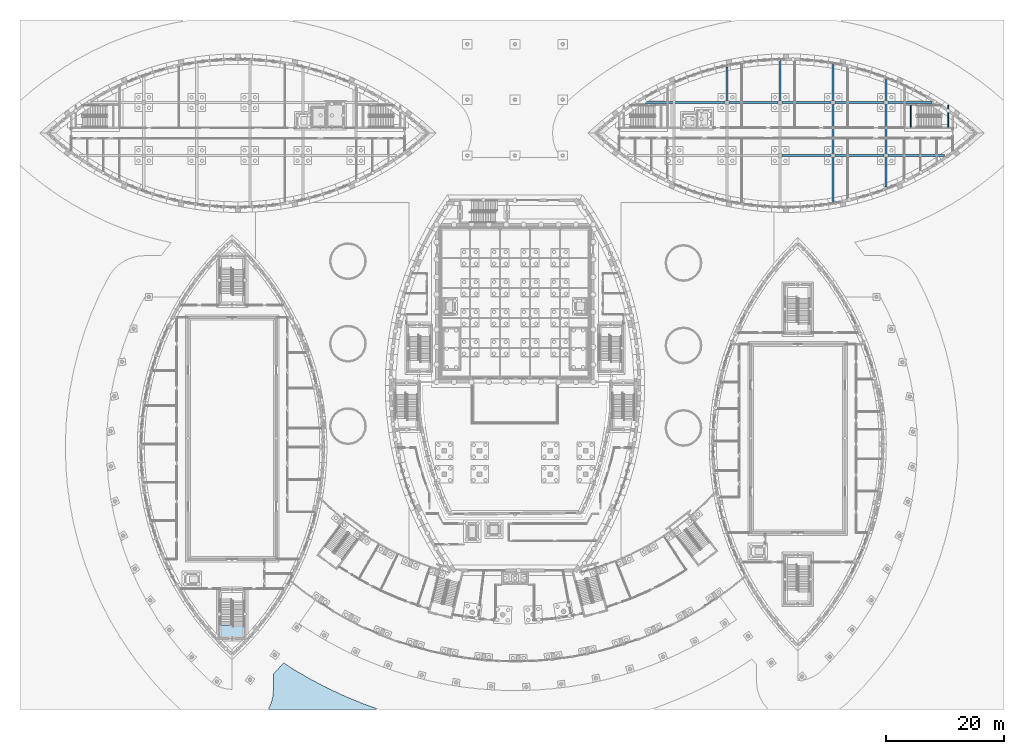
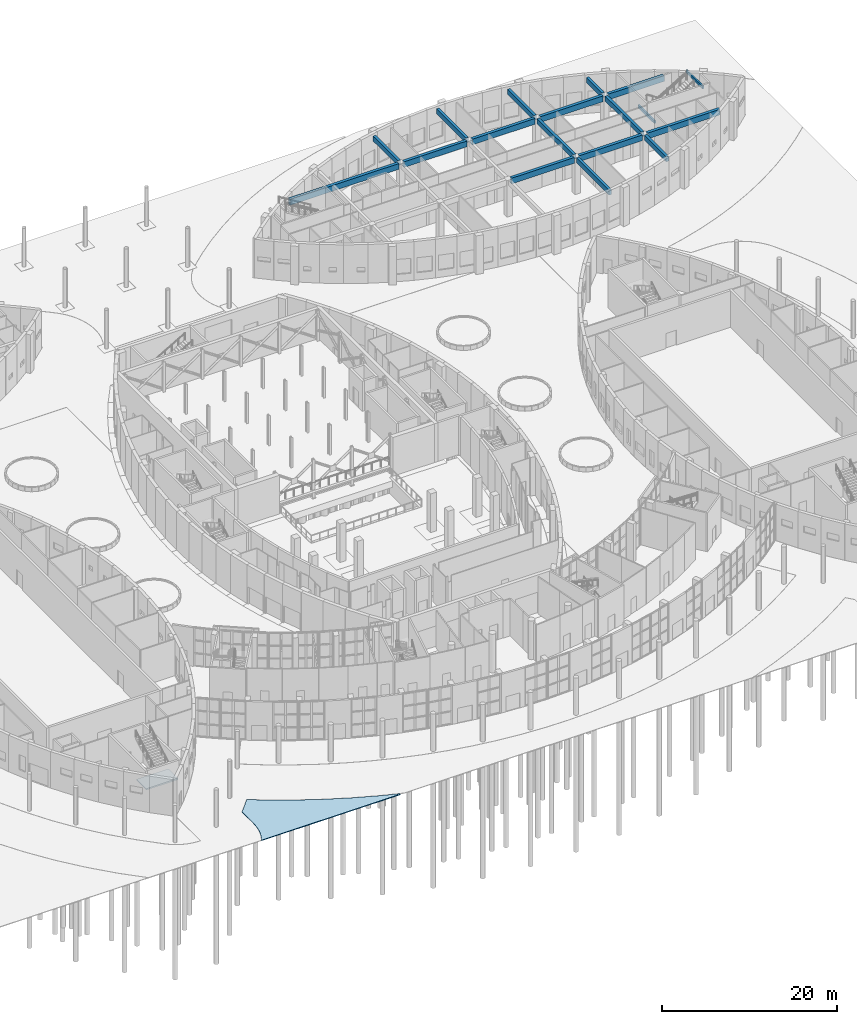
# One storey, part 27 of 82: 18 beams, 2 slabs, 1 element without a shape of its own.
"""IFC4 building model written with IfcOpenShell, lengths in metres."""

from ifc_helpers import new_model, si_unit, direction, frame, origin, origin_2d, place, context, subcontext, project, spatial, polyline, rectangle, outline, extrude, material, layer, layer_set, material_profile, profile_set, type_object, element, aggregate, save


model = new_model("IFC4")

# Units and contexts
model_context = context("Model", 3, precision=1e-05, world=origin(), true_north=direction((0.0, 1.0)))
body_context = subcontext(model_context, "Body", "Model", "MODEL_VIEW")
ifc_project = project(units=[si_unit("LENGTHUNIT", "METRE"), si_unit("AREAUNIT", "SQUARE_METRE"), si_unit("VOLUMEUNIT", "CUBIC_METRE"), si_unit("PLANEANGLEUNIT", "RADIAN"), si_unit("MASSUNIT", "GRAM", prefix="KILO")], contexts=[model_context])

# Site, building, storey
site_placement = place(None, origin())
site = spatial("IfcSite", under=ifc_project, at=site_placement, CompositionType="ELEMENT")
building_placement = place(site_placement, origin())
building = spatial("IfcBuilding", under=site, at=building_placement, Name="Tide Square Theatres", CompositionType="ELEMENT")
storey_placement = place(building_placement, origin())
storey = spatial("IfcBuildingStorey", under=building, at=storey_placement, Name="L00", CompositionType="ELEMENT", Elevation=0.0)

# Beams
ifc_material_1 = material(Name="Concrete C35", Category="concrete")
ifc_material_profile_1 = material_profile(ifc_material_1, rectangle(XDim=0.199951171875, YDim=0.39990234375, at=origin_2d()))
ifc_profile_set_1 = profile_set([ifc_material_profile_1], Name="Concrete C35")
beam_type_1 = type_object("IfcBeamType", Name="RC beam 200 x 400", PredefinedType="BEAM", material=ifc_profile_set_1)
for number, where, z_axis, x_axis, name in (
    (1, (157.550048828125, 102.550048828125, 4.919921875), (0.0, -1.0, 0.0), (1.0, 0.0, 0.0), "Rehearsal Block stair floor landing beam"),
    (2, (151.200439453125, 98.800048828125, 2.300048828125), (0.0, 1.0, 0.0), (-1.0, 0.0, 0.0), "Rehearsal Block stair landing beam"),
):
    element("IfcBeam", number, at=place(storey_placement, frame(where, z_axis=z_axis, x_axis=x_axis)), inside=storey, type_object=beam_type_1, Name=name, PredefinedType="BEAM", context=body_context, shape_type="SweptSolid", body=[
        extrude(rectangle(XDim=0.199951171875, YDim=0.39990234375, at=origin_2d()), origin(), (0.0, 0.0, 1.0), 3.75),
    ])
ifc_material_2 = material(Name="Concrete C35", Category="concrete")
ifc_material_profile_2 = material_profile(ifc_material_2, rectangle(XDim=0.35009765625, YDim=0.699951171875, at=origin_2d()))
ifc_profile_set_2 = profile_set([ifc_material_profile_2], Name="Concrete C35")
beam_type_2 = type_object("IfcBeamType", Name="RC beam 350 x 700", PredefinedType="BEAM", material=ifc_profile_set_2)
beam_1_placement = place(storey_placement, frame((120.0, 103.35009765625, 4.77001953125), z_axis=(0.0, 1.0, 0.0), x_axis=(-1.0, 0.0, 0.0)))
element("IfcBeam", 3, at=beam_1_placement, inside=storey, type_object=beam_type_2, Name="Rehearsal Block floor beam L01 16", PredefinedType="BEAM", context=body_context, shape_type="SweptSolid", body=[
    extrude(rectangle(XDim=0.35009765625, YDim=0.699951171875, at=origin_2d()), origin(), (0.0, 0.0, 1.0), 5.685546875),
])
beam_2_placement = place(storey_placement, frame((129.0, 103.35009765625, 4.77001953125), z_axis=(0.0, 1.0, 0.0), x_axis=(-1.0, 0.0, 0.0)))
element("IfcBeam", 4, at=beam_2_placement, inside=storey, type_object=beam_type_2, Name="Rehearsal Block floor beam L01 19", PredefinedType="BEAM", context=body_context, shape_type="SweptSolid", body=[
    extrude(rectangle(XDim=0.35009765625, YDim=0.699951171875, at=origin_2d()), origin(), (0.0, 0.0, 1.0), 6.7734375),
])
beam_3_placement = place(storey_placement, frame((138.0, 86.162353515625, 4.77001953125), z_axis=(0.0, 1.0, 0.0), x_axis=(-1.0, 0.0, 0.0)))
element("IfcBeam", 5, at=beam_3_placement, inside=storey, type_object=beam_type_2, Name="Rehearsal Block floor beam L01 20", PredefinedType="BEAM", context=body_context, shape_type="SweptSolid", body=[
    extrude(rectangle(XDim=0.35009765625, YDim=0.699951171875, at=origin_2d()), origin(), (0.0, 0.0, 1.0), 7.487548828125),
])
beam_4_placement = place(storey_placement, frame((138.0, 94.35009765625, 4.77001953125), z_axis=(0.0, 1.0, 0.0), x_axis=(-1.0, 0.0, 0.0)))
element("IfcBeam", 6, at=beam_4_placement, inside=storey, type_object=beam_type_2, Name="Rehearsal Block floor beam L01 21", PredefinedType="BEAM", context=body_context, shape_type="SweptSolid", body=[
    extrude(rectangle(XDim=0.35009765625, YDim=0.699951171875, at=origin_2d()), origin(), (0.0, 0.0, 1.0), 8.2998046875),
])
beam_5_placement = place(storey_placement, frame((138.0, 103.35009765625, 4.77001953125), z_axis=(0.0, 1.0, 0.0), x_axis=(-1.0, 0.0, 0.0)))
element("IfcBeam", 7, at=beam_5_placement, inside=storey, type_object=beam_type_2, Name="Rehearsal Block floor beam L01 22", PredefinedType="BEAM", context=body_context, shape_type="SweptSolid", body=[
    extrude(rectangle(XDim=0.35009765625, YDim=0.699951171875, at=origin_2d()), origin(), (0.0, 0.0, 1.0), 6.08740234375),
])
beam_6_placement = place(storey_placement, frame((147.0, 88.657958984375, 4.77001953125), z_axis=(0.0, 1.0, 0.0), x_axis=(-1.0, 0.0, 0.0)))
element("IfcBeam", 8, at=beam_6_placement, inside=storey, type_object=beam_type_2, Name="Rehearsal Block floor beam L01 23", PredefinedType="BEAM", context=body_context, shape_type="SweptSolid", body=[
    extrude(rectangle(XDim=0.35009765625, YDim=0.699951171875, at=origin_2d()), origin(), (0.0, 0.0, 1.0), 4.991943359375),
])
beam_7_placement = place(storey_placement, frame((147.0, 94.35009765625, 4.77001953125), z_axis=(0.0, 1.0, 0.0), x_axis=(-1.0, 0.0, 0.0)))
element("IfcBeam", 9, at=beam_7_placement, inside=storey, type_object=beam_type_2, Name="Rehearsal Block floor beam L01 24", PredefinedType="BEAM", context=body_context, shape_type="SweptSolid", body=[
    extrude(rectangle(XDim=0.35009765625, YDim=0.699951171875, at=origin_2d()), origin(), (0.0, 0.0, 1.0), 8.2998046875),
])
beam_8_placement = place(storey_placement, frame((147.0, 103.35009765625, 4.77001953125), z_axis=(0.0, 1.0, 0.0), x_axis=(-1.0, 0.0, 0.0)))
element("IfcBeam", 10, at=beam_8_placement, inside=storey, type_object=beam_type_2, Name="Rehearsal Block floor beam L01 25", PredefinedType="BEAM", context=body_context, shape_type="SweptSolid", body=[
    extrude(rectangle(XDim=0.35009765625, YDim=0.699951171875, at=origin_2d()), origin(), (0.0, 0.0, 1.0), 3.591796875),
])
ifc_material_3 = material(Name="Concrete C35", Category="concrete")
ifc_material_profile_3 = material_profile(ifc_material_3, rectangle(XDim=0.39990234375, YDim=0.800048828125, at=origin_2d()))
ifc_profile_set_3 = profile_set([ifc_material_profile_3], Name="Concrete C35")
beam_type_3 = type_object("IfcBeamType", Name="RC beam 400 x 800", PredefinedType="BEAM", material=ifc_profile_set_3)
for number, where, z_axis, x_axis, name in (
    (11, (129.35009765625, 94.0, 4.719970703125), (1.0, 0.0, 0.0), (0.0, 1.0, 0.0), "Rehearsal Block floor beam L01 4"),
    (12, (138.35009765625, 94.0, 4.719970703125), (1.0, 0.0, 0.0), (0.0, 1.0, 0.0), "Rehearsal Block floor beam L01 5"),
):
    element("IfcBeam", number, at=place(storey_placement, frame(where, z_axis=z_axis, x_axis=x_axis)), inside=storey, type_object=beam_type_3, Name=name, PredefinedType="BEAM", context=body_context, shape_type="SweptSolid", body=[
        extrude(rectangle(XDim=0.39990234375, YDim=0.800048828125, at=origin_2d()), origin(), (0.0, 0.0, 1.0), 8.2998046875),
    ])
beam_9_placement = place(storey_placement, frame((147.35009765625, 94.0, 4.719970703125), z_axis=(1.0, 0.0, 0.0), x_axis=(0.0, 1.0, 0.0)))
element("IfcBeam", 13, at=beam_9_placement, inside=storey, type_object=beam_type_3, Name="Rehearsal Block floor beam L01 6", PredefinedType="BEAM", context=body_context, shape_type="SweptSolid", body=[
    extrude(rectangle(XDim=0.39990234375, YDim=0.800048828125, at=origin_2d()), origin(), (0.0, 0.0, 1.0), 9.5615234375),
])
beam_10_placement = place(storey_placement, frame((105.257080078125, 103.0, 4.719970703125), z_axis=(1.0, 0.0, 0.0), x_axis=(0.0, 1.0, 0.0)))
element("IfcBeam", 14, at=beam_10_placement, inside=storey, type_object=beam_type_3, Name="Rehearsal Block floor beam L01 7", PredefinedType="BEAM", context=body_context, shape_type="SweptSolid", body=[
    extrude(rectangle(XDim=0.39990234375, YDim=0.800048828125, at=origin_2d()), origin(), (0.0, 0.0, 1.0), 14.392822265625),
])
for number, where, z_axis, x_axis, name in (
    (15, (120.35009765625, 103.0, 4.719970703125), (1.0, 0.0, 0.0), (0.0, 1.0, 0.0), "Rehearsal Block floor beam L01 8"),
    (16, (129.35009765625, 103.0, 4.719970703125), (1.0, 0.0, 0.0), (0.0, 1.0, 0.0), "Rehearsal Block floor beam L01 9"),
    (17, (138.35009765625, 103.0, 4.719970703125), (1.0, 0.0, 0.0), (0.0, 1.0, 0.0), "Rehearsal Block floor beam L01 10"),
):
    element("IfcBeam", number, at=place(storey_placement, frame(where, z_axis=z_axis, x_axis=x_axis)), inside=storey, type_object=beam_type_3, Name=name, PredefinedType="BEAM", context=body_context, shape_type="SweptSolid", body=[
        extrude(rectangle(XDim=0.39990234375, YDim=0.800048828125, at=origin_2d()), origin(), (0.0, 0.0, 1.0), 8.2998046875),
    ])
beam_11_placement = place(storey_placement, frame((147.35009765625, 103.0, 4.719970703125), z_axis=(1.0, 0.0, 0.0), x_axis=(0.0, 1.0, 0.0)))
element("IfcBeam", 18, at=beam_11_placement, inside=storey, type_object=beam_type_3, Name="Rehearsal Block floor beam L01 11", PredefinedType="BEAM", context=body_context, shape_type="SweptSolid", body=[
    extrude(rectangle(XDim=0.39990234375, YDim=0.800048828125, at=origin_2d()), origin(), (0.0, 0.0, 1.0), 7.392822265625),
])

# Slab
ifc_material_4 = material(Name="Concrete C30", Category="concrete")
ifc_layer_1 = layer(ifc_material_4, 0.10009765625)
ifc_layer_set_1 = layer_set([ifc_layer_1], Name="Concrete C30")
slab_type_1 = type_object("IfcSlabType", Name="Paving slab 100", PredefinedType="USERDEFINED", material=ifc_layer_set_1)
slab_1_placement = place(storey_placement, frame((0.0, 0.0, -0.10009765625)))
element("IfcSlab", 19, at=slab_1_placement, inside=storey, type_object=slab_type_1, Name="Square paving", ObjectType="PAVING", PredefinedType="USERDEFINED", context=body_context, shape_type="SweptSolid", body=[
    extrude(outline(polyline([(42.1416015625, 0.0), (60.481689453125, 0.0), (60.507080078125, 0.146484375), (58.448486328125, 0.880859375), (58.1416015625, 0.99853515625), (55.330322265625, 2.15234375), (55.029296875, 2.2841796875), (52.275146484375, 3.568603515625), (51.980712890625, 3.714599609375), (49.289794921875, 5.12646484375), (49.00244140625, 5.285888671875), (46.380859375, 6.82275390625), (46.101318359375, 6.99560546875), (44.730224609375, 7.887939453125), (43.4521484375, 6.47314453125), (43.135009765625, 6.144287109375), (43.02001953125, 6.032470703125), (43.02001953125, 3.3994140625), (42.984130859375, 2.69091796875), (42.876708984375, 1.989013671875), (42.69921875, 1.301513671875), (42.452880859375, 0.635498046875), (42.1416015625, 0.0)])), origin(), (0.0, 0.0, 1.0), 0.10009765625),
])

# Stair, slab
ifc_material_5 = material(Name="Concrete C35", Category="concrete")
stair_type = type_object("IfcStairType", Name="Stair half turn 2000 wide, 32 risers, rise 5400", PredefinedType="HALF_TURN_STAIR", material=ifc_material_5)
stair_placement = place(storey_placement, origin())
stair = element("IfcStair", 20, at=stair_placement, inside=storey, type_object=stair_type, Name="Studio Theatre Stair S2", PredefinedType="HALF_TURN_STAIR")
ifc_material_6 = material(Name="Concrete C35", Category="concrete")
ifc_layer_2 = layer(ifc_material_6, 0.199951171875)
ifc_layer_set_2 = layer_set([ifc_layer_2], Name="Concrete C35")
slab_type_2 = type_object("IfcSlabType", Name="RC landing slab 200", PredefinedType="LANDING", material=ifc_layer_set_2)
slab_2_placement = place(storey_placement, frame((0.0, 0.0, 2.5)))
slab_2 = element("IfcSlab", 21, at=slab_2_placement, type_object=slab_type_2, Name="ST-2000-5400 landing 1", PredefinedType="LANDING", context=body_context, shape_type="SweptSolid", body=[
    extrude(outline(polyline([(33.89990234375, 14.35009765625), (33.89990234375, 12.14990234375), (38.10009765625, 12.14990234375), (38.10009765625, 14.35009765625), (33.89990234375, 14.35009765625)])), origin(), (0.0, 0.0, 1.0), 0.199951171875),
])
aggregate(stair, [slab_2])

save(model, "model.ifc")
